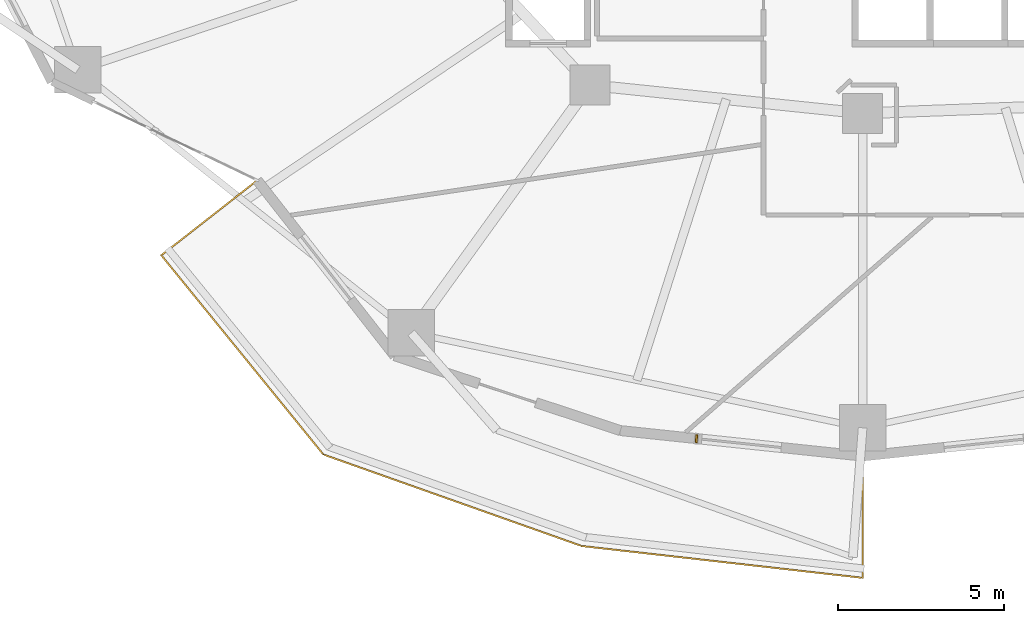
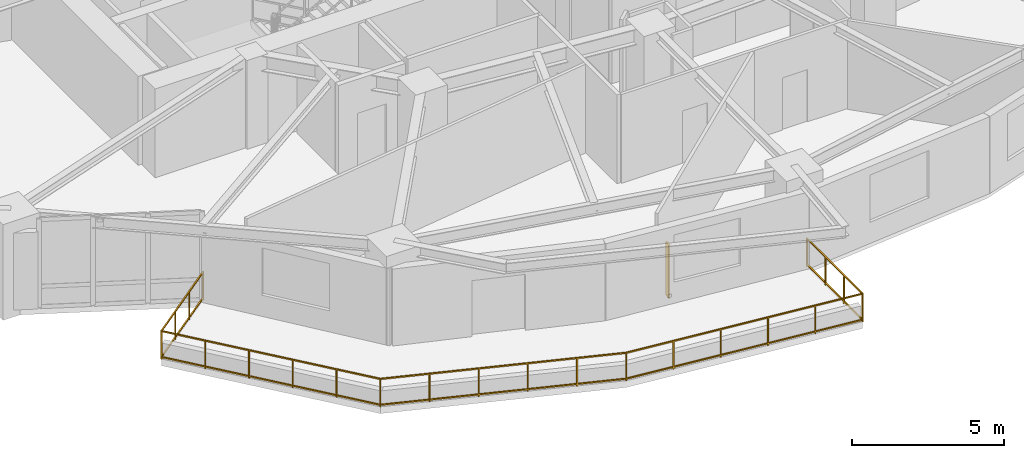
# One storey, part 11 of 14: 1 railing, 1 shading device.
"""IFC4 building model written with IfcOpenShell, lengths in metres."""

from ifc_helpers import new_model, si_unit, direction, frame, origin, origin_2d, place, context, subcontext, project, spatial, rectangle, extrude, material, type_object, element, save


model = new_model("IFC4")

# Units and contexts
model_context = context("Model", 3, precision=1e-05, world=origin(), true_north=direction((0.0, 1.0)))
body_context = subcontext(model_context, "Body", "Model", "MODEL_VIEW")
ifc_project = project(units=[si_unit("LENGTHUNIT", "METRE"), si_unit("AREAUNIT", "SQUARE_METRE"), si_unit("VOLUMEUNIT", "CUBIC_METRE"), si_unit("PLANEANGLEUNIT", "RADIAN"), si_unit("MASSUNIT", "GRAM", prefix="KILO")], contexts=[model_context])

# Site, building, storey
site_placement = place(None, origin())
site = spatial("IfcSite", under=ifc_project, at=site_placement, CompositionType="ELEMENT")
building_placement = place(site_placement, origin())
building = spatial("IfcBuilding", under=site, at=building_placement, Name="Kolvaren Gate Tower and Convention Centre", CompositionType="ELEMENT")
storey_placement = place(building_placement, frame((0.0, 0.0, 45.75)))
storey = spatial("IfcBuildingStorey", under=building, at=storey_placement, Name="L10", CompositionType="ELEMENT", Elevation=45.75)

# Railing
ifc_material_1 = material(Name="Brushed Stainless Steel Grade 316L", Category="steel")
railing_type = type_object("IfcRailingType", Name="ARCH-RL-GUARD-1150", PredefinedType="GUARDRAIL", material=ifc_material_1)
railing_placement = place(storey_placement, frame((11.934814453125, 12.787109375, 0.0)))
element("IfcRailing", 1, at=railing_placement, inside=storey, type_object=railing_type, Name="Tower L10 Terrace Perimeter Guardrail GR-3", PredefinedType="GUARDRAIL", context=body_context, shape_type="SweptSolid", body=[
    extrude(rectangle(XDim=0.048095703125, YDim=0.048095703125, at=origin_2d()), frame((-0.022216796875, -0.017333984375, 1.1259765625), z_axis=(-0.787988976981, -0.61568934712, 0.0), x_axis=(0.61568934712, -0.787988976981, 0.0)), (0.0, 0.0, 1.0), 3.60400390625),
    extrude(rectangle(XDim=0.048095703125, YDim=0.048095703125, at=origin_2d()), frame((-0.022216796875, -0.017333984375, 0.083984375), z_axis=(-0.787988976981, -0.61568934712, 0.0), x_axis=(0.61568934712, -0.787988976981, 0.0)), (0.0, 0.0, 1.0), 3.60400390625),
    extrude(rectangle(XDim=0.048095703125, YDim=0.048095703125, at=origin_2d()), frame((-2.866455078125, -2.275146484375, 1.1259765625), z_axis=(0.631012936188, -0.775772308324, 0.0), x_axis=(0.775772308324, 0.631012936188, 0.0)), (0.0, 0.0, 1.0), 7.661376953125),
    extrude(rectangle(XDim=0.048095703125, YDim=0.048095703125, at=origin_2d()), frame((-2.866455078125, -2.275146484375, 0.083984375), z_axis=(0.631012936188, -0.775772308324, 0.0), x_axis=(0.775772308324, 0.631012936188, 0.0)), (0.0, 0.0, 1.0), 7.661376953125),
    extrude(rectangle(XDim=0.048095703125, YDim=0.048095703125, at=origin_2d()), frame((2.01220703125, -8.249755859375, 1.1259765625), z_axis=(0.942581348797, -0.333976647237, 0.0), x_axis=(0.333976647237, 0.942581348797, 0.0)), (0.0, 0.0, 1.0), 8.179443359375),
    extrude(rectangle(XDim=0.048095703125, YDim=0.048095703125, at=origin_2d()), frame((2.01220703125, -8.249755859375, 0.083984375), z_axis=(0.942581348797, -0.333976647237, 0.0), x_axis=(0.333976647237, 0.942581348797, 0.0)), (0.0, 0.0, 1.0), 8.179443359375),
    extrude(rectangle(XDim=0.048095703125, YDim=0.048095703125, at=origin_2d()), frame((9.7763671875, -10.994140625, 1.1259765625), z_axis=(0.99364775515, -0.11253505536, 0.0), x_axis=(0.11253505536, 0.99364775515, 0.0)), (0.0, 0.0, 1.0), 8.439453125),
    extrude(rectangle(XDim=0.048095703125, YDim=0.048095703125, at=origin_2d()), frame((9.7763671875, -10.994140625, 0.083984375), z_axis=(0.99364775515, -0.11253505536, 0.0), x_axis=(0.11253505536, 0.99364775515, 0.0)), (0.0, 0.0, 1.0), 8.439453125),
    extrude(rectangle(XDim=0.048095703125, YDim=0.048095703125, at=origin_2d()), frame((18.190185546875, -11.9189453125, 1.1259765625), z_axis=(0.0, 1.0, 0.0), x_axis=(-1.0, 0.0, 0.0)), (0.0, 0.0, 1.0), 3.603759765625),
    extrude(rectangle(XDim=0.048095703125, YDim=0.048095703125, at=origin_2d()), frame((18.190185546875, -11.9189453125, 0.083984375), z_axis=(0.0, 1.0, 0.0), x_axis=(-1.0, 0.0, 0.0)), (0.0, 0.0, 1.0), 3.603759765625),
    extrude(rectangle(XDim=0.0419921875, YDim=0.0419921875, at=origin_2d()), origin(), (0.0, 0.0, 1.0), 1.14990234375),
    extrude(rectangle(XDim=0.0419921875, YDim=0.0419921875, at=origin_2d()), frame((-2.884033203125, -2.25341796875, 0.0)), (0.0, 0.0, 1.0), 1.14990234375),
    extrude(rectangle(XDim=0.0419921875, YDim=0.0419921875, at=origin_2d()), frame((-0.96142578125, -0.751220703125, 0.0)), (0.0, 0.0, 1.0), 1.099853515625),
    extrude(rectangle(XDim=0.0419921875, YDim=0.0419921875, at=origin_2d()), frame((-1.922607421875, -1.502197265625, 0.0)), (0.0, 0.0, 1.0), 1.099853515625),
    extrude(rectangle(XDim=0.0419921875, YDim=0.0419921875, at=origin_2d()), frame((1.98583984375, -8.240478515625, 0.0)), (0.0, 0.0, 1.0), 1.14990234375),
    extrude(rectangle(XDim=0.0419921875, YDim=0.0419921875, at=origin_2d()), frame((-1.91015625, -3.450927734375, 0.0)), (0.0, 0.0, 1.0), 1.099853515625),
    extrude(rectangle(XDim=0.0419921875, YDim=0.0419921875, at=origin_2d()), frame((-0.93603515625, -4.648193359375, 0.0)), (0.0, 0.0, 1.0), 1.099853515625),
    extrude(rectangle(XDim=0.0419921875, YDim=0.0419921875, at=origin_2d()), frame((0.037841796875, -5.845703125, 0.0)), (0.0, 0.0, 1.0), 1.099853515625),
    extrude(rectangle(XDim=0.0419921875, YDim=0.0419921875, at=origin_2d()), frame((1.011962890625, -7.04296875, 0.0)), (0.0, 0.0, 1.0), 1.099853515625),
    extrude(rectangle(XDim=0.0419921875, YDim=0.0419921875, at=origin_2d()), frame((9.74853515625, -10.990966796875, 0.0)), (0.0, 0.0, 1.0), 1.14990234375),
    extrude(rectangle(XDim=0.0419921875, YDim=0.0419921875, at=origin_2d()), frame((3.538330078125, -8.79052734375, 0.0)), (0.0, 0.0, 1.0), 1.099853515625),
    extrude(rectangle(XDim=0.0419921875, YDim=0.0419921875, at=origin_2d()), frame((5.0908203125, -9.340576171875, 0.0)), (0.0, 0.0, 1.0), 1.099853515625),
    extrude(rectangle(XDim=0.0419921875, YDim=0.0419921875, at=origin_2d()), frame((6.6435546875, -9.890869140625, 0.0)), (0.0, 0.0, 1.0), 1.099853515625),
    extrude(rectangle(XDim=0.0419921875, YDim=0.0419921875, at=origin_2d()), frame((8.196044921875, -10.44091796875, 0.0)), (0.0, 0.0, 1.0), 1.099853515625),
    extrude(rectangle(XDim=0.0419921875, YDim=0.0419921875, at=origin_2d()), frame((18.190185546875, -11.947021484375, 0.0)), (0.0, 0.0, 1.0), 1.14990234375),
    extrude(rectangle(XDim=0.0419921875, YDim=0.0419921875, at=origin_2d()), frame((11.436767578125, -11.18212890625, 0.0)), (0.0, 0.0, 1.0), 1.099853515625),
    extrude(rectangle(XDim=0.0419921875, YDim=0.0419921875, at=origin_2d()), frame((13.125244140625, -11.373291015625, 0.0)), (0.0, 0.0, 1.0), 1.099853515625),
    extrude(rectangle(XDim=0.0419921875, YDim=0.0419921875, at=origin_2d()), frame((14.8134765625, -11.564697265625, 0.0)), (0.0, 0.0, 1.0), 1.099853515625),
    extrude(rectangle(XDim=0.0419921875, YDim=0.0419921875, at=origin_2d()), frame((16.501953125, -11.755859375, 0.0)), (0.0, 0.0, 1.0), 1.099853515625),
    extrude(rectangle(XDim=0.0419921875, YDim=0.0419921875, at=origin_2d()), frame((18.190185546875, -8.287109375, 0.0)), (0.0, 0.0, 1.0), 1.14990234375),
    extrude(rectangle(XDim=0.0419921875, YDim=0.0419921875, at=origin_2d()), frame((18.190185546875, -10.72705078125, 0.0)), (0.0, 0.0, 1.0), 1.099853515625),
    extrude(rectangle(XDim=0.0419921875, YDim=0.0419921875, at=origin_2d()), frame((18.190185546875, -9.507080078125, 0.0)), (0.0, 0.0, 1.0), 1.099853515625),
])

# Shading device
ifc_material_2 = material(Name="Kiln-Fired Bogota Terracotta Ceramic Louvre Profile", Category="masonry")
shading_device_type = type_object("IfcShadingDeviceType", Name="ARCH-SHD-FIN-180", PredefinedType="JALOUSIE", material=ifc_material_2)
shading_device_placement = place(storey_placement, frame((25.133056640625, 5.02587890625, 0.219970703125), z_axis=(0.0, 0.0, 1.0), x_axis=(0.994498884311, -0.104747167526, 0.0)))
element("IfcShadingDevice", 2, at=shading_device_placement, inside=storey, type_object=shading_device_type, Name="Ceramic Vertical Brise-Soleil Fin FN-L10-17", PredefinedType="JALOUSIE", context=body_context, shape_type="SweptSolid", body=[
    extrude(rectangle(XDim=0.06005859375, YDim=0.239990234375, at=origin_2d()), origin(), (0.0, 0.0, 1.0), 2.14990234375),
])

save(model, "model.ifc")
